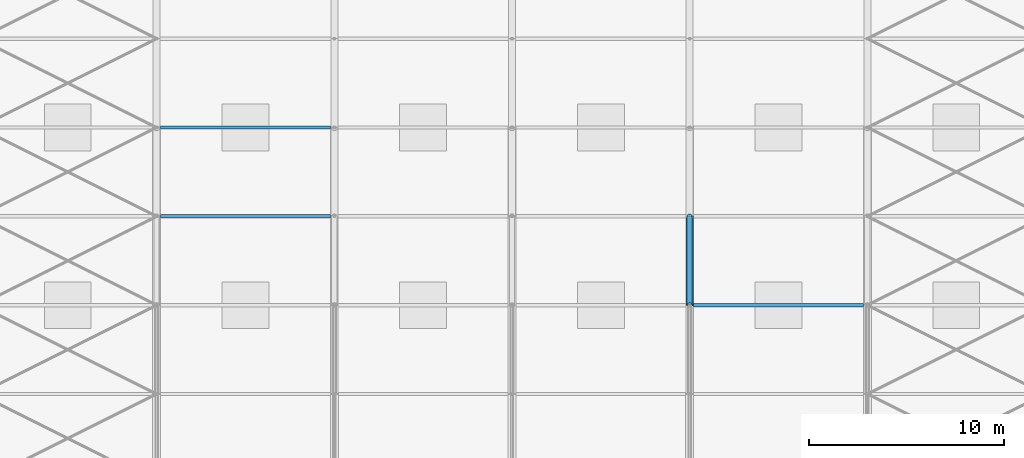
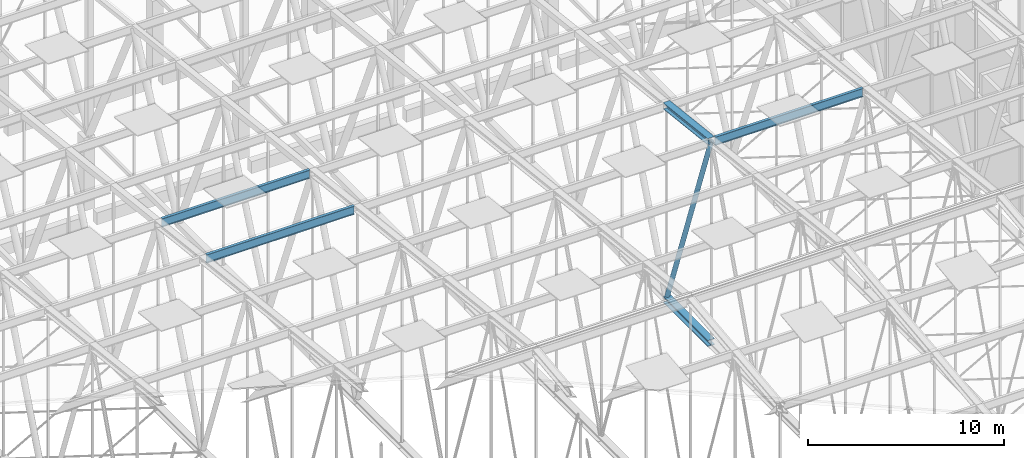
# One storey, part 264 of 500: 6 members.
"""IFC4 building model written with IfcOpenShell, lengths in metres."""

from ifc_helpers import new_model, si_unit, direction, frame, origin, origin_2d, place, context, subcontext, project, spatial, hollow_circle, i_section, extrude, material, material_profile, profile_set, type_object, element, save


model = new_model("IFC4")

# Units and contexts
model_context = context("Model", 3, precision=1e-05, world=origin(), true_north=direction((0.0, 1.0)))
body_context = subcontext(model_context, "Body", "Model", "MODEL_VIEW")
ifc_project = project(units=[si_unit("LENGTHUNIT", "METRE"), si_unit("AREAUNIT", "SQUARE_METRE"), si_unit("VOLUMEUNIT", "CUBIC_METRE"), si_unit("PLANEANGLEUNIT", "RADIAN"), si_unit("MASSUNIT", "GRAM", prefix="KILO")], contexts=[model_context])

# Site, building, storey
site_placement = place(None, origin())
site = spatial("IfcSite", under=ifc_project, at=site_placement, CompositionType="ELEMENT")
building_placement = place(site_placement, origin())
building = spatial("IfcBuilding", under=site, at=building_placement, Name="Shirokan Park Arena", CompositionType="ELEMENT")
storey_placement = place(building_placement, frame((0.0, 0.0, 29.1201171875)))
storey = spatial("IfcBuildingStorey", under=building, at=storey_placement, Name="L06", CompositionType="ELEMENT", Elevation=29.1201171875)

# Members
ifc_material_1 = material(Name="Steel ASTM A992", Category="steel")
ifc_material_profile_1 = material_profile(ifc_material_1, i_section(OverallWidth=0.40087890625, OverallDepth=0.39892578125, WebThickness=0.02490234375, FlangeThickness=0.03955078125, at=origin_2d()), Name="W360X314")
ifc_profile_set_1 = profile_set([ifc_material_profile_1], Name="Steel ASTM A992")
member_type_1 = type_object("IfcMemberType", Name="Bottom chord W360X314", PredefinedType="CHORD", material=ifc_profile_set_1)
member_1_placement = place(storey_placement, frame((81.89990234375, 68.25, 4.677001953125), z_axis=(0.0, 1.0, 0.0), x_axis=(-1.0, 0.0, 0.0)))
element("IfcMember", 1, at=member_1_placement, inside=storey, type_object=member_type_1, Name="Truss T10 bottom chord 18", PredefinedType="CHORD", context=body_context, shape_type="SweptSolid", body=[
    extrude(i_section(OverallWidth=0.40087890625, OverallDepth=0.39892578125, WebThickness=0.02490234375, FlangeThickness=0.03955078125, at=origin_2d()), origin(), (0.0, 0.0, 1.0), 4.550048828125),
])
ifc_material_profile_2 = material_profile(ifc_material_1, i_section(OverallWidth=0.166015625, OverallDepth=0.528076171875, WebThickness=0.009765625, FlangeThickness=0.013671875, at=origin_2d()), Name="W530X74")
ifc_profile_set_2 = profile_set([ifc_material_profile_2], Name="Steel ASTM A992")
member_type_2 = type_object("IfcMemberType", Name="Purlin W530X74", PredefinedType="PURLIN", material=ifc_profile_set_2)
for number, where, z_axis, x_axis, name in (
    (2, (82.1005859375, 68.25, 17.165771484375), (1.0, 0.0, 0.0), (0.0, 1.0, 0.0), "Purlin 18 bay 10"),
    (3, (54.800537109375, 72.800048828125, 16.64599609375), (1.0, 0.0, 0.0), (0.0, 1.0, 0.0), "Purlin 19 bay 7"),
    (4, (54.800537109375, 77.35009765625, 16.1259765625), (1.0, 0.0, 0.0), (0.0, 1.0, 0.0), "Purlin 20 bay 7"),
):
    element("IfcMember", number, at=place(storey_placement, frame(where, z_axis=z_axis, x_axis=x_axis)), inside=storey, type_object=member_type_2, Name=name, PredefinedType="PURLIN", context=body_context, shape_type="SweptSolid", body=[
        extrude(i_section(OverallWidth=0.166015625, OverallDepth=0.528076171875, WebThickness=0.009765625, FlangeThickness=0.013671875, at=origin_2d()), origin(), (0.0, 0.0, 1.0), 8.698974609375),
    ])
ifc_material_profile_3 = material_profile(ifc_material_1, i_section(OverallWidth=0.40087890625, OverallDepth=0.39892578125, WebThickness=0.02490234375, FlangeThickness=0.03955078125, at=origin_2d()), Name="W360X314")
ifc_profile_set_3 = profile_set([ifc_material_profile_3], Name="Steel ASTM A992")
member_type_3 = type_object("IfcMemberType", Name="Top chord W360X314", PredefinedType="CHORD", material=ifc_profile_set_3)
member_2_placement = place(storey_placement, frame((81.89990234375, 68.25, 17.221435546875), z_axis=(0.0, 0.993532328996, -0.113549598152), x_axis=(-1.0, 0.0, 0.0)))
element("IfcMember", 5, at=member_2_placement, inside=storey, type_object=member_type_3, Name="Truss T10 top chord 18", PredefinedType="CHORD", context=body_context, shape_type="SweptSolid", body=[
    extrude(i_section(OverallWidth=0.40087890625, OverallDepth=0.39892578125, WebThickness=0.02490234375, FlangeThickness=0.03955078125, at=origin_2d()), origin(), (0.0, 0.0, 1.0), 4.57958984375),
])
ifc_material_2 = material(Name="Steel ASTM A500 Grade C", Category="steel")
ifc_material_profile_4 = material_profile(ifc_material_2, hollow_circle(Radius=0.136474609375, WallThickness=0.009521484375, at=origin_2d()), Name="HSS273.1X9.5")
ifc_profile_set_4 = profile_set([ifc_material_profile_4], Name="Steel ASTM A500 Grade C")
member_type_4 = type_object("IfcMemberType", Name="Truss diagonal HSS273.1X9.5", PredefinedType="BRACE", material=ifc_profile_set_4)
member_3_placement = place(storey_placement, frame((81.89990234375, 68.25, 17.221435546875), z_axis=(0.0, 0.340977600467, -0.94007142068), x_axis=(-1.0, 0.0, 0.0)))
element("IfcMember", 6, at=member_3_placement, inside=storey, type_object=member_type_4, Name="Truss T10 diagonal 18", PredefinedType="BRACE", context=body_context, shape_type="SweptSolid", body=[
    extrude(hollow_circle(Radius=0.136474609375, WallThickness=0.009521484375, at=origin_2d()), origin(), (0.0, 0.0, 1.0), 13.34423828125),
])

save(model, "model.ifc")
